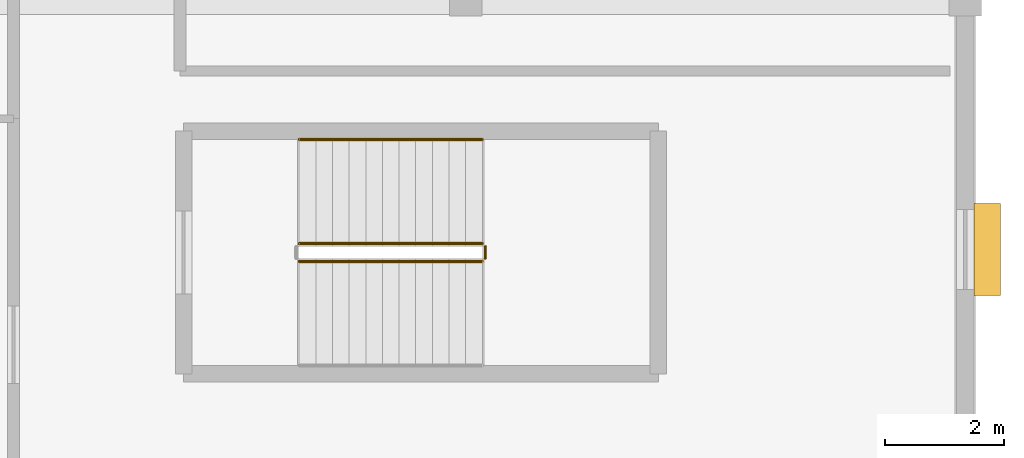
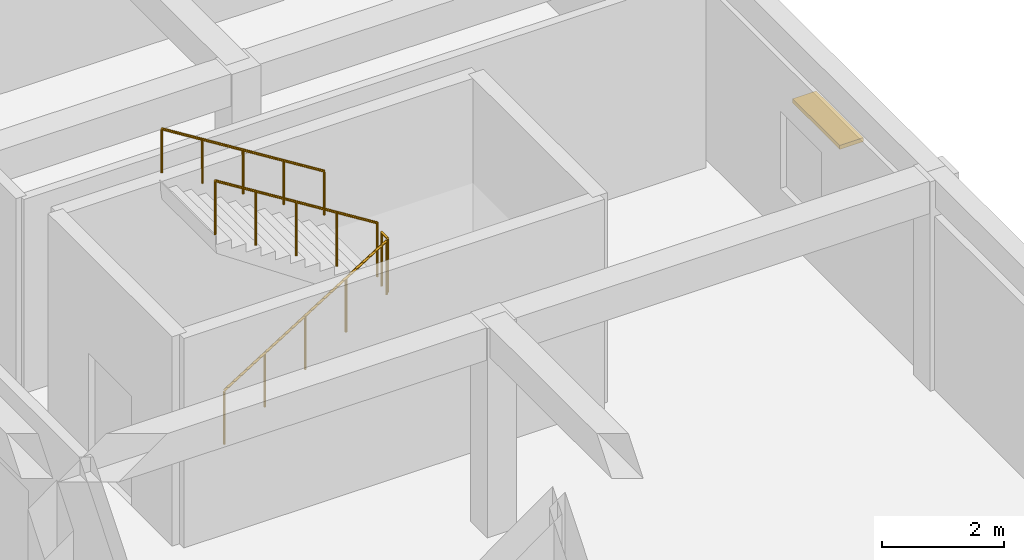
# One storey, part 75 of 77: 4 railings, 1 shading device.
"""IFC4 building model written with IfcOpenShell, lengths in metres."""

from ifc_helpers import new_model, si_unit, direction, frame, origin, origin_2d, place, context, subcontext, project, spatial, rectangle, circle, extrude, material, layer, layer_set, type_object, element, save


model = new_model("IFC4")

# Units and contexts
model_context = context("Model", 3, precision=1e-05, world=origin(), true_north=direction((0.0, 1.0)))
body_context = subcontext(model_context, "Body", "Model", "MODEL_VIEW")
ifc_project = project(units=[si_unit("LENGTHUNIT", "METRE"), si_unit("AREAUNIT", "SQUARE_METRE"), si_unit("VOLUMEUNIT", "CUBIC_METRE"), si_unit("PLANEANGLEUNIT", "RADIAN"), si_unit("MASSUNIT", "GRAM", prefix="KILO")], contexts=[model_context])

# Site, building, storey
site_placement = place(None, origin())
site = spatial("IfcSite", under=ifc_project, at=site_placement, CompositionType="ELEMENT")
building_placement = place(site_placement, origin())
building = spatial("IfcBuilding", under=site, at=building_placement, Name="Varncliffe General Hospital", CompositionType="ELEMENT")
storey_placement = place(building_placement, frame((0.0, 0.0, 16.199951171875)))
storey = spatial("IfcBuildingStorey", under=building, at=storey_placement, Name="L03", CompositionType="ELEMENT", Elevation=16.199951171875)

# Shading device
ifc_material_1 = material(Name="Dark bronze extruded aluminium solar jalousie louvres", Category="aluminium")
ifc_layer = layer(ifc_material_1, 0.080078125)
ifc_layer_set = layer_set([ifc_layer], Name="Dark bronze extruded aluminium solar jalousie louvres")
shading_device_type = type_object("IfcShadingDeviceType", Name="Bronze Solar Jalousie Louvre Hood SHD18", PredefinedType="JALOUSIE", material=ifc_layer_set)
shading_device_placement = place(storey_placement, frame((176.77001953125, 61.800048828125, 2.4599609375), z_axis=(0.0, 0.0, 1.0), x_axis=(0.0, -1.0, 0.0)))
element("IfcShadingDevice", 1, at=shading_device_placement, inside=storey, type_object=shading_device_type, Name="L03 Bronze Window Sun-Shading Louvre 70", PredefinedType="JALOUSIE", context=body_context, shape_type="SweptSolid", body=[
    extrude(rectangle(XDim=1.550048828125, YDim=0.449951171875, at=origin_2d()), origin(), (0.0, 0.0, 1.0), 0.080078125),
])

# Railings
ifc_material_2 = material(Name="Powder-coated hospital steel guardrail and handrail", Category="steel")
railing_type_1 = type_object("IfcRailingType", Name="Stair and Ramp Handrail HR46", PredefinedType="HANDRAIL", material=ifc_material_2)
railing_1_placement = place(storey_placement, frame((168.280029296875, 63.64990234375, 2.4541015625)))
element("IfcRailing", 2, at=railing_1_placement, inside=storey, type_object=railing_type_1, Name="L03 ST07 stair handrail 2", PredefinedType="HANDRAIL", context=body_context, shape_type="SweptSolid", body=[
    extrude(circle(Radius=0.02392578125, at=origin_2d()), frame((0.0, 0.0, 0.8759765625), z_axis=(-0.847998304005, 0.0, 0.529998940003), x_axis=(0.0, -1.0, 0.0)), (0.0, 0.0, 1.0), 3.632080078125),
    extrude(circle(Radius=0.02099609375, at=origin_2d()), origin(), (0.0, 0.0, 1.0), 0.851806640625),
    extrude(circle(Radius=0.02099609375, at=origin_2d()), frame((-0.77001953125, 0.0, 0.481201171875)), (0.0, 0.0, 1.0), 0.851806640625),
    extrude(circle(Radius=0.02099609375, at=origin_2d()), frame((-1.5400390625, 0.0, 0.96240234375)), (0.0, 0.0, 1.0), 0.851806640625),
    extrude(circle(Radius=0.02099609375, at=origin_2d()), frame((-2.31005859375, 0.0, 1.44384765625)), (0.0, 0.0, 1.0), 0.851806640625),
    extrude(circle(Radius=0.02099609375, at=origin_2d()), frame((-3.080078125, 0.0, 1.925048828125)), (0.0, 0.0, 1.0), 0.851806640625),
])
railing_type_2 = type_object("IfcRailingType", Name="Stairwell Guardrail SG49", PredefinedType="GUARDRAIL", material=ifc_material_2)
railing_2_placement = place(storey_placement, frame((165.199951171875, 61.60009765625, 0.175048828125)))
element("IfcRailing", 3, at=railing_2_placement, inside=storey, type_object=railing_type_2, Name="L03 ST07 stair guard 1", PredefinedType="GUARDRAIL", context=body_context, shape_type="SweptSolid", body=[
    extrude(circle(Radius=0.02392578125, at=origin_2d()), frame((0.0, 0.0, 1.076171875), z_axis=(0.847998304005, 0.0, 0.529998940003), x_axis=(0.0, 1.0, 0.0)), (0.0, 0.0, 1.0), 3.632080078125),
    extrude(circle(Radius=0.02099609375, at=origin_2d()), origin(), (0.0, 0.0, 1.0), 1.052001953125),
    extrude(circle(Radius=0.02099609375, at=origin_2d()), frame((0.77001953125, 0.0, 0.481201171875)), (0.0, 0.0, 1.0), 1.052001953125),
    extrude(circle(Radius=0.02099609375, at=origin_2d()), frame((1.5400390625, 0.0, 0.96240234375)), (0.0, 0.0, 1.0), 1.052001953125),
    extrude(circle(Radius=0.02099609375, at=origin_2d()), frame((2.31005859375, 0.0, 1.44384765625)), (0.0, 0.0, 1.0), 1.052001953125),
    extrude(circle(Radius=0.02099609375, at=origin_2d()), frame((3.080078125, 0.0, 1.925048828125)), (0.0, 0.0, 1.0), 1.052001953125),
])
railing_3_placement = place(storey_placement, frame((168.330078125, 61.64990234375, 2.10009765625)))
element("IfcRailing", 4, at=railing_3_placement, inside=storey, type_object=railing_type_2, Name="L03 ST07 stair guard 2", PredefinedType="GUARDRAIL", context=body_context, shape_type="SweptSolid", body=[
    extrude(circle(Radius=0.02392578125, at=origin_2d()), frame((0.0, 0.0, 1.076171875), z_axis=(0.0, 1.0, 0.0), x_axis=(-1.0, 0.0, 0.0)), (0.0, 0.0, 1.0), 0.2001953125),
    extrude(circle(Radius=0.02099609375, at=origin_2d()), origin(), (0.0, 0.0, 1.0), 1.052001953125),
    extrude(circle(Radius=0.02099609375, at=origin_2d()), frame((0.0, 0.2001953125, 0.0)), (0.0, 0.0, 1.0), 1.052001953125),
])
railing_4_placement = place(storey_placement, frame((168.280029296875, 61.89990234375, 2.275146484375)))
element("IfcRailing", 5, at=railing_4_placement, inside=storey, type_object=railing_type_2, Name="L03 ST07 stair guard 3", PredefinedType="GUARDRAIL", context=body_context, shape_type="SweptSolid", body=[
    extrude(circle(Radius=0.02392578125, at=origin_2d()), frame((0.0, 0.0, 1.076171875), z_axis=(-0.848028513186, 0.0, 0.529950602248), x_axis=(0.0, -1.0, 0.0)), (0.0, 0.0, 1.0), 3.632080078125),
    extrude(circle(Radius=0.02099609375, at=origin_2d()), origin(), (0.0, 0.0, 1.0), 1.052001953125),
    extrude(circle(Radius=0.02099609375, at=origin_2d()), frame((-0.77001953125, 0.0, 0.481201171875)), (0.0, 0.0, 1.0), 1.052001953125),
    extrude(circle(Radius=0.02099609375, at=origin_2d()), frame((-1.5400390625, 0.0, 0.96240234375)), (0.0, 0.0, 1.0), 1.052001953125),
    extrude(circle(Radius=0.02099609375, at=origin_2d()), frame((-2.31005859375, 0.0, 1.443603515625)), (0.0, 0.0, 1.0), 1.052001953125),
    extrude(circle(Radius=0.02099609375, at=origin_2d()), frame((-3.080078125, 0.0, 1.9248046875)), (0.0, 0.0, 1.0), 1.052001953125),
])

save(model, "model.ifc")
